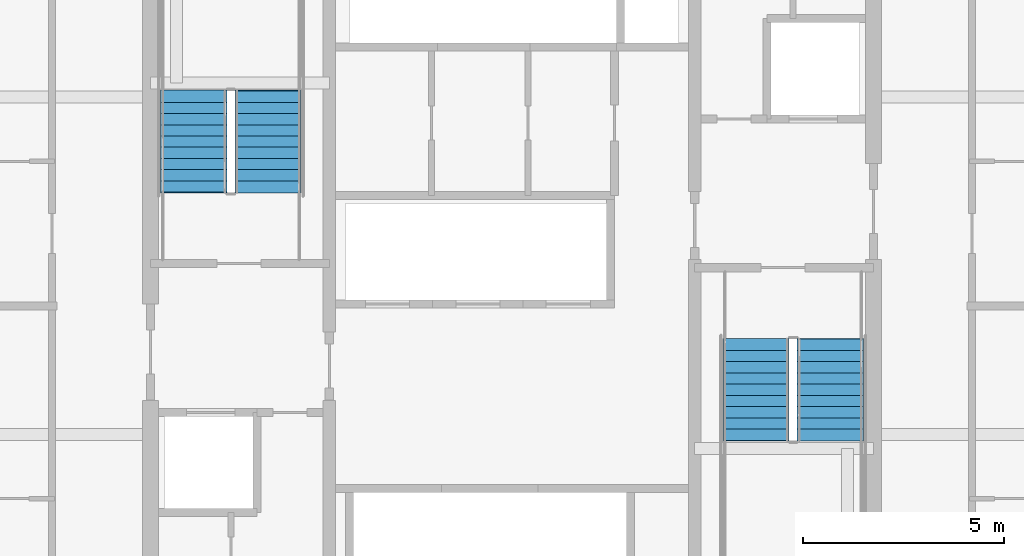
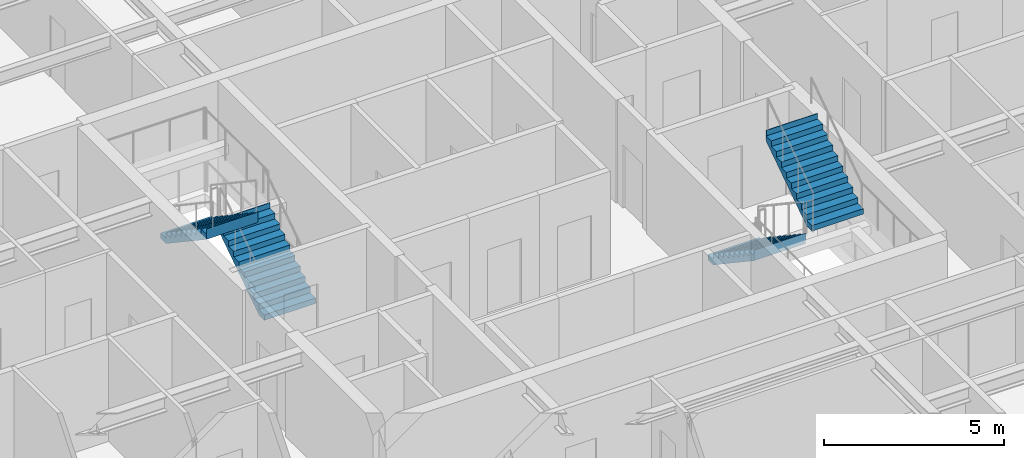
# One storey, part 33 of 38: 4 stair flights, 2 elements without a shape of their own.
"""IFC4 building model written with IfcOpenShell, lengths in metres."""

import ifcopenshell
import ifcopenshell.guid

model = None  # the IFC model being written
_history = None  # IfcOwnerHistory: only IFC2X3 demands one
_inside = {}  # id of a spatial element -> (the spatial element, [elements in it])
_under = {}  # id of a project, library or spatial element -> (it, [spatial elements below it])
_declared = {}  # id of a project -> (the project, [libraries it declares])
_typed = {}  # id of a type object -> (the type object, [elements of that type])
_made_of = {}  # id of a material, layer set ... -> (it, [elements and type objects made of it])


def new_model(schema):
    """Start an empty IFC model of exactly this schema.

    Asked for "IFC4X3", IfcOpenShell would pick the latest addendum, in which some entities
    have other attributes; the version numbers below select the first issue.
    IFC2X3 requires an IfcOwnerHistory on every rooted entity: one is made here for all.
    """
    global model, _history
    if schema == "IFC4X3":
        model = ifcopenshell.file(schema_version=(4, 3, 0, 0))
    else:
        model = ifcopenshell.file(schema=schema)
    _inside.clear()
    _under.clear()
    _declared.clear()
    _typed.clear()
    _made_of.clear()
    _history = None
    if model.schema == "IFC2X3":
        org = make("IfcOrganization", Name="unknown")
        user = make(
            "IfcPersonAndOrganization",
            ThePerson=make("IfcPerson", FamilyName="unknown"),
            TheOrganization=org,
        )
        app = make(
            "IfcApplication",
            ApplicationDeveloper=org,
            Version="unknown",
            ApplicationFullName="unknown",
            ApplicationIdentifier="unknown",
        )
        _history = make(
            "IfcOwnerHistory",
            OwningUser=user,
            OwningApplication=app,
            ChangeAction="ADDED",
            CreationDate=0,
        )
    return model


def make(cls, **values):
    """One entity of the class cls with the attributes given. An attribute that is None is left unset."""
    return model.create_entity(
        cls, **{name: value for name, value in values.items() if value is not None}
    )


def rooted(cls, **values):
    """An entity with a GlobalId (a new one), such as an element, a storey or a relation."""
    return make(cls, GlobalId=ifcopenshell.guid.new(), OwnerHistory=_history, **values)


def si_unit(unit_type, name, prefix=None):
    """IfcSIUnit, for example si_unit("LENGTHUNIT", "METRE", prefix="MILLI")."""
    return make("IfcSIUnit", UnitType=unit_type, Prefix=prefix, Name=name)


def assignment(units):
    """IfcUnitAssignment: the units of a project."""
    return None if units is None else make("IfcUnitAssignment", Units=units)


def point(xyz):
    """IfcCartesianPoint."""
    return None if xyz is None else make("IfcCartesianPoint", Coordinates=xyz)


def direction(xyz):
    """IfcDirection."""
    return None if xyz is None else make("IfcDirection", DirectionRatios=xyz)


def frame(location, z_axis=None, x_axis=None):
    """IfcAxis2Placement3D, a coordinate frame: its origin and axes. An axis left out is left unset."""
    return make(
        "IfcAxis2Placement3D",
        Location=point(location),
        Axis=direction(z_axis),
        RefDirection=direction(x_axis),
    )


def origin():
    """The frame at (0, 0, 0) with its axes left unset."""
    return frame((0.0, 0.0, 0.0))


def place(relative_to, where):
    """IfcLocalPlacement: puts the frame where relative to a parent placement (None: the world)."""
    return make(
        "IfcLocalPlacement", PlacementRelTo=relative_to, RelativePlacement=where
    )


def context(
    kind, dimensions, precision=None, world=None, true_north=None, identifier=None
):
    """IfcGeometricRepresentationContext, for example the 3D "Model" context."""
    return make(
        "IfcGeometricRepresentationContext",
        ContextIdentifier=identifier,
        ContextType=kind,
        CoordinateSpaceDimension=dimensions,
        Precision=precision,
        WorldCoordinateSystem=world,
        TrueNorth=true_north,
    )


def subcontext(parent, identifier, kind, view, scale=None):
    """IfcGeometricRepresentationSubContext, for example "Body" below "Model"."""
    return make(
        "IfcGeometricRepresentationSubContext",
        ContextIdentifier=identifier,
        ContextType=kind,
        ParentContext=parent,
        TargetScale=scale,
        TargetView=view,
    )


def project(units=None, contexts=None):
    """IfcProject with its units and contexts."""
    return rooted(
        "IfcProject",
        Name="project",
        RepresentationContexts=contexts,
        UnitsInContext=assignment(units),
    )


def spatial(cls, under=None, at=None, **own):
    """A site, building, storey or space (cls), placed at a placement, below another one or the project."""
    s = rooted(cls, ObjectPlacement=at, **own)
    if under is not None:
        _under.setdefault(under.id(), (under, []))[1].append(s)
    return s


def point_list(points):
    """IfcCartesianPointList2D or 3D."""
    cls = (
        "IfcCartesianPointList2D" if len(points[0]) == 2 else "IfcCartesianPointList3D"
    )
    return make(cls, CoordList=points)


def polygons(points, faces, closed=None, point_numbers=None):
    """IfcPolygonalFaceSet: a face is its outer loop, then its inner loops; points numbered from 1."""
    made = []
    for loops in faces:
        if len(loops) == 1:
            made.append(make("IfcIndexedPolygonalFace", CoordIndex=loops[0]))
        else:
            made.append(
                make(
                    "IfcIndexedPolygonalFaceWithVoids",
                    CoordIndex=loops[0],
                    InnerCoordIndices=loops[1:],
                )
            )
    return make(
        "IfcPolygonalFaceSet",
        Coordinates=point_list(points),
        Closed=closed,
        Faces=made,
        PnIndex=point_numbers,
    )


def shape(context_of_items, identifier, shape_type, items):
    """IfcShapeRepresentation: the items that make up one representation, for example the "Body"."""
    return make(
        "IfcShapeRepresentation",
        ContextOfItems=context_of_items,
        RepresentationIdentifier=identifier,
        RepresentationType=shape_type,
        Items=items,
    )


def material(Name=None, Category=None):
    """IfcMaterial."""
    return make("IfcMaterial", Name=Name, Category=Category)


def made_of(thing, what):
    """Note that an element or type object is made of a material, layer set ...; save() writes the relation."""
    if what is not None:
        _made_of.setdefault(what.id(), (what, []))[1].append(thing)
    return thing


def type_object(cls, material=None, **own):
    """A type object (cls), such as IfcWallType, which elements share."""
    return made_of(rooted(cls, **own), material)


def element(
    cls,
    number,
    at=None,
    inside=None,
    cuts=None,
    type_object=None,
    material=None,
    context=None,
    identifier="Body",
    shape_type=None,
    held_by="IfcProductDefinitionShape",
    body=None,
    shapes=None,
    **own,
):
    """One element of the class cls, such as IfcWall. Its Tag is "e" and its number.

    at: its placement. inside: the storey or other place that contains it. cuts: it is an
    opening in that element (IfcRelVoidsElement). A single representation is given by context,
    identifier, shape_type and body (its items); several are given by shapes. held_by: the class
    of the entity that holds the representations. save() writes the other relations.
    """
    e = rooted(cls, Tag="e%d" % number, ObjectPlacement=at, **own)
    if body is not None:
        shapes = [shape(context, identifier, shape_type, body)]
    if shapes is not None:
        e.Representation = make(held_by, Representations=shapes)
    if inside is not None:
        _inside.setdefault(inside.id(), (inside, []))[1].append(e)
    if cuts is not None:
        rooted(
            "IfcRelVoidsElement", RelatingBuildingElement=cuts, RelatedOpeningElement=e
        )
    if type_object is not None:
        _typed.setdefault(type_object.id(), (type_object, []))[1].append(e)
    return made_of(e, material)


def aggregate(whole, parts):
    """IfcRelAggregates: a whole, such as a stair, and the parts it consists of."""
    return rooted("IfcRelAggregates", RelatingObject=whole, RelatedObjects=parts)


def save(model, path):
    """Write the relations noted so far, then the file.

    IfcRelAggregates (storeys below a building ...), IfcRelContainedInSpatialStructure (elements
    in a storey), IfcRelDefinesByType, IfcRelAssociatesMaterial and IfcRelDeclares: one each for
    every whole, place, type object, material and project.
    """
    for whole, parts in _under.values():
        aggregate(whole, parts)
    for where, things in _inside.values():
        rooted(
            "IfcRelContainedInSpatialStructure",
            RelatedElements=things,
            RelatingStructure=where,
        )
    for kind, things in _typed.values():
        rooted("IfcRelDefinesByType", RelatedObjects=things, RelatingType=kind)
    for what, things in _made_of.values():
        rooted("IfcRelAssociatesMaterial", RelatedObjects=things, RelatingMaterial=what)
    for by, libraries in _declared.values():
        rooted("IfcRelDeclares", RelatingContext=by, RelatedDefinitions=libraries)
    model.write(path)


model = new_model("IFC4")

# Units and contexts
model_context = context("Model", 3, precision=1e-05, world=origin(), true_north=direction((0.0, 1.0)))
body_context = subcontext(model_context, "Body", "Model", "MODEL_VIEW")
ifc_project = project(units=[si_unit("LENGTHUNIT", "METRE"), si_unit("AREAUNIT", "SQUARE_METRE"), si_unit("VOLUMEUNIT", "CUBIC_METRE"), si_unit("PLANEANGLEUNIT", "RADIAN"), si_unit("MASSUNIT", "GRAM", prefix="KILO")], contexts=[model_context])

# Site, building, storey
site_placement = place(None, origin())
site = spatial("IfcSite", under=ifc_project, at=site_placement, CompositionType="ELEMENT")
building_placement = place(site_placement, origin())
building = spatial("IfcBuilding", under=site, at=building_placement, Name="Serunith Strait Residences", CompositionType="ELEMENT")
storey_placement = place(building_placement, frame((0.0, 0.0, 120.14990234375)))
storey = spatial("IfcBuildingStorey", under=building, at=storey_placement, Name="L29", CompositionType="ELEMENT", Elevation=120.14990234375)

# Stair, stair flights
ifc_material = material(Name="Concrete C50/60", Category="concrete")
stair_type_1 = type_object("IfcStairType", Name="STR-CORE-1", PredefinedType="HALF_TURN_STAIR", material=ifc_material)
stair_1_placement = place(storey_placement, origin())
stair_1 = element("IfcStair", 1, at=stair_1_placement, inside=storey, type_object=stair_type_1, Name="L29 Protected Escape Stair ST-1", PredefinedType="HALF_TURN_STAIR")
stair_flight_type_1 = type_object("IfcStairFlightType", Name="FLT-CORE-1", PredefinedType="STRAIGHT", material=ifc_material)
stair_flight_1_placement = place(storey_placement, frame((26.324951171875, 27.030029296875, 0.0), z_axis=(0.0, 0.0, 1.0), x_axis=(0.0, 1.0, 0.0)))
stair_flight_1 = element("IfcStairFlight", 2, at=stair_flight_1_placement, type_object=stair_flight_type_1, Name="ST-1 flight 1", NumberOfRisers=10, NumberOfTreads=9, PredefinedType="STRAIGHT", RiserHeight=0.1875, TreadLength=0.28, context=body_context, shape_type="Tessellation", body=[
    polygons([(-0.02001953125, -0.824951171875, 0.0), (-0.02001953125, -0.824951171875, 0.1875), (0.280029296875, -0.824951171875, 0.1875), (0.280029296875, -0.824951171875, 0.375), (0.56005859375, -0.824951171875, 0.375), (0.56005859375, -0.824951171875, 0.5625), (0.840087890625, -0.824951171875, 0.5625), (0.840087890625, -0.824951171875, 0.75), (1.1201171875, -0.824951171875, 0.75), (1.1201171875, -0.824951171875, 0.9375), (1.39990234375, -0.824951171875, 0.9375), (1.39990234375, -0.824951171875, 1.125), (1.679931640625, -0.824951171875, 1.125), (1.679931640625, -0.824951171875, 1.3125), (1.9599609375, -0.824951171875, 1.3125), (1.9599609375, -0.824951171875, 1.5), (2.239990234375, -0.824951171875, 1.5), (2.239990234375, -0.824951171875, 1.6875), (2.52001953125, -0.824951171875, 1.6875), (2.52001953125, -0.824951171875, 1.875), (2.5400390625, -0.824951171875, 1.875), (2.5400390625, -0.824951171875, 1.81494140625), (2.52001953125, -0.824951171875, 1.507080078125), (0.26953125, -0.824951171875, 0.0), (-0.02001953125, -0.41259765625, 0.0), (-0.02001953125, -0.41259765625, 0.1875), (0.280029296875, -0.41259765625, 0.1875), (0.280029296875, -0.41259765625, 0.375), (0.56005859375, -0.41259765625, 0.375), (0.56005859375, -0.41259765625, 0.5625), (0.840087890625, -0.41259765625, 0.5625), (0.840087890625, -0.41259765625, 0.75), (1.1201171875, -0.41259765625, 0.75), (1.1201171875, -0.41259765625, 0.9375), (1.39990234375, -0.41259765625, 0.9375), (1.39990234375, -0.41259765625, 1.125), (1.679931640625, -0.41259765625, 1.125), (1.679931640625, -0.41259765625, 1.3125), (1.9599609375, -0.41259765625, 1.3125), (1.9599609375, -0.41259765625, 1.5), (2.239990234375, -0.41259765625, 1.5), (2.239990234375, -0.41259765625, 1.6875), (2.52001953125, -0.41259765625, 1.6875), (2.52001953125, -0.41259765625, 1.875), (2.5400390625, -0.41259765625, 1.875), (2.5400390625, -0.41259765625, 1.81494140625), (2.52001953125, -0.41259765625, 1.507080078125), (0.26953125, -0.41259765625, 0.0), (-0.02001953125, 0.0, 0.0), (-0.02001953125, 0.0, 0.1875), (0.280029296875, 0.0, 0.1875), (0.280029296875, 0.0, 0.375), (0.56005859375, 0.0, 0.375), (0.56005859375, 0.0, 0.5625), (0.840087890625, 0.0, 0.5625), (0.840087890625, 0.0, 0.75), (1.1201171875, 0.0, 0.75), (1.1201171875, 0.0, 0.9375), (1.39990234375, 0.0, 0.9375), (1.39990234375, 0.0, 1.125), (1.679931640625, 0.0, 1.125), (1.679931640625, 0.0, 1.3125), (1.9599609375, 0.0, 1.3125), (1.9599609375, 0.0, 1.5), (2.239990234375, 0.0, 1.5), (2.239990234375, 0.0, 1.6875), (2.52001953125, 0.0, 1.6875), (2.52001953125, 0.0, 1.875), (2.5400390625, 0.0, 1.875), (2.5400390625, 0.0, 1.81494140625), (2.52001953125, 0.0, 1.507080078125), (0.26953125, 0.0, 0.0), (-0.02001953125, 0.41259765625, 0.0), (-0.02001953125, 0.41259765625, 0.1875), (0.280029296875, 0.41259765625, 0.1875), (0.280029296875, 0.41259765625, 0.375), (0.56005859375, 0.41259765625, 0.375), (0.56005859375, 0.41259765625, 0.5625), (0.840087890625, 0.41259765625, 0.5625), (0.840087890625, 0.41259765625, 0.75), (1.1201171875, 0.41259765625, 0.75), (1.1201171875, 0.41259765625, 0.9375), (1.39990234375, 0.41259765625, 0.9375), (1.39990234375, 0.41259765625, 1.125), (1.679931640625, 0.41259765625, 1.125), (1.679931640625, 0.41259765625, 1.3125), (1.9599609375, 0.41259765625, 1.3125), (1.9599609375, 0.41259765625, 1.5), (2.239990234375, 0.41259765625, 1.5), (2.239990234375, 0.41259765625, 1.6875), (2.52001953125, 0.41259765625, 1.6875), (2.52001953125, 0.41259765625, 1.875), (2.5400390625, 0.41259765625, 1.875), (2.5400390625, 0.41259765625, 1.81494140625), (2.52001953125, 0.41259765625, 1.507080078125), (0.26953125, 0.41259765625, 0.0), (-0.02001953125, 0.824951171875, 0.0), (-0.02001953125, 0.824951171875, 0.1875), (0.280029296875, 0.824951171875, 0.1875), (0.280029296875, 0.824951171875, 0.375), (0.56005859375, 0.824951171875, 0.375), (0.56005859375, 0.824951171875, 0.5625), (0.840087890625, 0.824951171875, 0.5625), (0.840087890625, 0.824951171875, 0.75), (1.1201171875, 0.824951171875, 0.75), (1.1201171875, 0.824951171875, 0.9375), (1.39990234375, 0.824951171875, 0.9375), (1.39990234375, 0.824951171875, 1.125), (1.679931640625, 0.824951171875, 1.125), (1.679931640625, 0.824951171875, 1.3125), (1.9599609375, 0.824951171875, 1.3125), (1.9599609375, 0.824951171875, 1.5), (2.239990234375, 0.824951171875, 1.5), (2.239990234375, 0.824951171875, 1.6875), (2.52001953125, 0.824951171875, 1.6875), (2.52001953125, 0.824951171875, 1.875), (2.5400390625, 0.824951171875, 1.875), (2.5400390625, 0.824951171875, 1.81494140625), (2.52001953125, 0.824951171875, 1.507080078125), (0.26953125, 0.824951171875, 0.0)], [[[1, 2, 26, 25]], [[2, 3, 27, 26]], [[3, 4, 28, 27]], [[4, 5, 29, 28]], [[5, 6, 30, 29]], [[6, 7, 31, 30]], [[7, 8, 32, 31]], [[8, 9, 33, 32]], [[9, 10, 34, 33]], [[10, 11, 35, 34]], [[11, 12, 36, 35]], [[12, 13, 37, 36]], [[13, 14, 38, 37]], [[14, 15, 39, 38]], [[15, 16, 40, 39]], [[16, 17, 41, 40]], [[17, 18, 42, 41]], [[18, 19, 43, 42]], [[19, 20, 44, 43]], [[20, 21, 45, 44]], [[21, 22, 46, 45]], [[22, 23, 47, 46]], [[23, 24, 48, 47]], [[24, 1, 25, 48]], [[25, 26, 50, 49]], [[26, 27, 51, 50]], [[27, 28, 52, 51]], [[28, 29, 53, 52]], [[29, 30, 54, 53]], [[30, 31, 55, 54]], [[31, 32, 56, 55]], [[32, 33, 57, 56]], [[33, 34, 58, 57]], [[34, 35, 59, 58]], [[35, 36, 60, 59]], [[36, 37, 61, 60]], [[37, 38, 62, 61]], [[38, 39, 63, 62]], [[39, 40, 64, 63]], [[40, 41, 65, 64]], [[41, 42, 66, 65]], [[42, 43, 67, 66]], [[43, 44, 68, 67]], [[44, 45, 69, 68]], [[45, 46, 70, 69]], [[46, 47, 71, 70]], [[47, 48, 72, 71]], [[48, 25, 49, 72]], [[49, 50, 74, 73]], [[50, 51, 75, 74]], [[51, 52, 76, 75]], [[52, 53, 77, 76]], [[53, 54, 78, 77]], [[54, 55, 79, 78]], [[55, 56, 80, 79]], [[56, 57, 81, 80]], [[57, 58, 82, 81]], [[58, 59, 83, 82]], [[59, 60, 84, 83]], [[60, 61, 85, 84]], [[61, 62, 86, 85]], [[62, 63, 87, 86]], [[63, 64, 88, 87]], [[64, 65, 89, 88]], [[65, 66, 90, 89]], [[66, 67, 91, 90]], [[67, 68, 92, 91]], [[68, 69, 93, 92]], [[69, 70, 94, 93]], [[70, 71, 95, 94]], [[71, 72, 96, 95]], [[72, 49, 73, 96]], [[73, 74, 98, 97]], [[74, 75, 99, 98]], [[75, 76, 100, 99]], [[76, 77, 101, 100]], [[77, 78, 102, 101]], [[78, 79, 103, 102]], [[79, 80, 104, 103]], [[80, 81, 105, 104]], [[81, 82, 106, 105]], [[82, 83, 107, 106]], [[83, 84, 108, 107]], [[84, 85, 109, 108]], [[85, 86, 110, 109]], [[86, 87, 111, 110]], [[87, 88, 112, 111]], [[88, 89, 113, 112]], [[89, 90, 114, 113]], [[90, 91, 115, 114]], [[91, 92, 116, 115]], [[92, 93, 117, 116]], [[93, 94, 118, 117]], [[94, 95, 119, 118]], [[95, 96, 120, 119]], [[96, 73, 97, 120]], [[24, 23, 22, 21, 20, 19, 18, 17, 16, 15, 14, 13, 12, 11, 10, 9, 8, 7, 6, 5, 4, 3, 2, 1]], [[97, 98, 99, 100, 101, 102, 103, 104, 105, 106, 107, 108, 109, 110, 111, 112, 113, 114, 115, 116, 117, 118, 119, 120]]], closed=True),
])
stair_flight_2_placement = place(storey_placement, frame((24.47509765625, 29.550048828125, 1.875), z_axis=(0.0, 0.0, 1.0), x_axis=(0.0, -1.0, 0.0)))
stair_flight_2 = element("IfcStairFlight", 3, at=stair_flight_2_placement, type_object=stair_flight_type_1, Name="ST-1 flight 2", NumberOfRisers=10, NumberOfTreads=9, PredefinedType="STRAIGHT", RiserHeight=0.1875, TreadLength=0.28, context=body_context, shape_type="Tessellation", body=[
    polygons([(-0.02001953125, -0.824951171875, 0.0), (-0.02001953125, -0.824951171875, 0.1875), (0.280029296875, -0.824951171875, 0.1875), (0.280029296875, -0.824951171875, 0.375), (0.56005859375, -0.824951171875, 0.375), (0.56005859375, -0.824951171875, 0.5625), (0.840087890625, -0.824951171875, 0.5625), (0.840087890625, -0.824951171875, 0.75), (1.1201171875, -0.824951171875, 0.75), (1.1201171875, -0.824951171875, 0.9375), (1.39990234375, -0.824951171875, 0.9375), (1.39990234375, -0.824951171875, 1.125), (1.679931640625, -0.824951171875, 1.125), (1.679931640625, -0.824951171875, 1.3125), (1.9599609375, -0.824951171875, 1.3125), (1.9599609375, -0.824951171875, 1.5), (2.239990234375, -0.824951171875, 1.5), (2.239990234375, -0.824951171875, 1.6875), (2.52001953125, -0.824951171875, 1.6875), (2.52001953125, -0.824951171875, 1.875), (2.5400390625, -0.824951171875, 1.875), (2.5400390625, -0.824951171875, 1.81494140625), (2.52001953125, -0.824951171875, 1.507080078125), (0.26953125, -0.824951171875, 0.0), (-0.02001953125, -0.41259765625, 0.0), (-0.02001953125, -0.41259765625, 0.1875), (0.280029296875, -0.41259765625, 0.1875), (0.280029296875, -0.41259765625, 0.375), (0.56005859375, -0.41259765625, 0.375), (0.56005859375, -0.41259765625, 0.5625), (0.840087890625, -0.41259765625, 0.5625), (0.840087890625, -0.41259765625, 0.75), (1.1201171875, -0.41259765625, 0.75), (1.1201171875, -0.41259765625, 0.9375), (1.39990234375, -0.41259765625, 0.9375), (1.39990234375, -0.41259765625, 1.125), (1.679931640625, -0.41259765625, 1.125), (1.679931640625, -0.41259765625, 1.3125), (1.9599609375, -0.41259765625, 1.3125), (1.9599609375, -0.41259765625, 1.5), (2.239990234375, -0.41259765625, 1.5), (2.239990234375, -0.41259765625, 1.6875), (2.52001953125, -0.41259765625, 1.6875), (2.52001953125, -0.41259765625, 1.875), (2.5400390625, -0.41259765625, 1.875), (2.5400390625, -0.41259765625, 1.81494140625), (2.52001953125, -0.41259765625, 1.507080078125), (0.26953125, -0.41259765625, 0.0), (-0.02001953125, 0.0, 0.0), (-0.02001953125, 0.0, 0.1875), (0.280029296875, 0.0, 0.1875), (0.280029296875, 0.0, 0.375), (0.56005859375, 0.0, 0.375), (0.56005859375, 0.0, 0.5625), (0.840087890625, 0.0, 0.5625), (0.840087890625, 0.0, 0.75), (1.1201171875, 0.0, 0.75), (1.1201171875, 0.0, 0.9375), (1.39990234375, 0.0, 0.9375), (1.39990234375, 0.0, 1.125), (1.679931640625, 0.0, 1.125), (1.679931640625, 0.0, 1.3125), (1.9599609375, 0.0, 1.3125), (1.9599609375, 0.0, 1.5), (2.239990234375, 0.0, 1.5), (2.239990234375, 0.0, 1.6875), (2.52001953125, 0.0, 1.6875), (2.52001953125, 0.0, 1.875), (2.5400390625, 0.0, 1.875), (2.5400390625, 0.0, 1.81494140625), (2.52001953125, 0.0, 1.507080078125), (0.26953125, 0.0, 0.0), (-0.02001953125, 0.41259765625, 0.0), (-0.02001953125, 0.41259765625, 0.1875), (0.280029296875, 0.41259765625, 0.1875), (0.280029296875, 0.41259765625, 0.375), (0.56005859375, 0.41259765625, 0.375), (0.56005859375, 0.41259765625, 0.5625), (0.840087890625, 0.41259765625, 0.5625), (0.840087890625, 0.41259765625, 0.75), (1.1201171875, 0.41259765625, 0.75), (1.1201171875, 0.41259765625, 0.9375), (1.39990234375, 0.41259765625, 0.9375), (1.39990234375, 0.41259765625, 1.125), (1.679931640625, 0.41259765625, 1.125), (1.679931640625, 0.41259765625, 1.3125), (1.9599609375, 0.41259765625, 1.3125), (1.9599609375, 0.41259765625, 1.5), (2.239990234375, 0.41259765625, 1.5), (2.239990234375, 0.41259765625, 1.6875), (2.52001953125, 0.41259765625, 1.6875), (2.52001953125, 0.41259765625, 1.875), (2.5400390625, 0.41259765625, 1.875), (2.5400390625, 0.41259765625, 1.81494140625), (2.52001953125, 0.41259765625, 1.507080078125), (0.26953125, 0.41259765625, 0.0), (-0.02001953125, 0.824951171875, 0.0), (-0.02001953125, 0.824951171875, 0.1875), (0.280029296875, 0.824951171875, 0.1875), (0.280029296875, 0.824951171875, 0.375), (0.56005859375, 0.824951171875, 0.375), (0.56005859375, 0.824951171875, 0.5625), (0.840087890625, 0.824951171875, 0.5625), (0.840087890625, 0.824951171875, 0.75), (1.1201171875, 0.824951171875, 0.75), (1.1201171875, 0.824951171875, 0.9375), (1.39990234375, 0.824951171875, 0.9375), (1.39990234375, 0.824951171875, 1.125), (1.679931640625, 0.824951171875, 1.125), (1.679931640625, 0.824951171875, 1.3125), (1.9599609375, 0.824951171875, 1.3125), (1.9599609375, 0.824951171875, 1.5), (2.239990234375, 0.824951171875, 1.5), (2.239990234375, 0.824951171875, 1.6875), (2.52001953125, 0.824951171875, 1.6875), (2.52001953125, 0.824951171875, 1.875), (2.5400390625, 0.824951171875, 1.875), (2.5400390625, 0.824951171875, 1.81494140625), (2.52001953125, 0.824951171875, 1.507080078125), (0.26953125, 0.824951171875, 0.0)], [[[1, 2, 26, 25]], [[2, 3, 27, 26]], [[3, 4, 28, 27]], [[4, 5, 29, 28]], [[5, 6, 30, 29]], [[6, 7, 31, 30]], [[7, 8, 32, 31]], [[8, 9, 33, 32]], [[9, 10, 34, 33]], [[10, 11, 35, 34]], [[11, 12, 36, 35]], [[12, 13, 37, 36]], [[13, 14, 38, 37]], [[14, 15, 39, 38]], [[15, 16, 40, 39]], [[16, 17, 41, 40]], [[17, 18, 42, 41]], [[18, 19, 43, 42]], [[19, 20, 44, 43]], [[20, 21, 45, 44]], [[21, 22, 46, 45]], [[22, 23, 47, 46]], [[23, 24, 48, 47]], [[24, 1, 25, 48]], [[25, 26, 50, 49]], [[26, 27, 51, 50]], [[27, 28, 52, 51]], [[28, 29, 53, 52]], [[29, 30, 54, 53]], [[30, 31, 55, 54]], [[31, 32, 56, 55]], [[32, 33, 57, 56]], [[33, 34, 58, 57]], [[34, 35, 59, 58]], [[35, 36, 60, 59]], [[36, 37, 61, 60]], [[37, 38, 62, 61]], [[38, 39, 63, 62]], [[39, 40, 64, 63]], [[40, 41, 65, 64]], [[41, 42, 66, 65]], [[42, 43, 67, 66]], [[43, 44, 68, 67]], [[44, 45, 69, 68]], [[45, 46, 70, 69]], [[46, 47, 71, 70]], [[47, 48, 72, 71]], [[48, 25, 49, 72]], [[49, 50, 74, 73]], [[50, 51, 75, 74]], [[51, 52, 76, 75]], [[52, 53, 77, 76]], [[53, 54, 78, 77]], [[54, 55, 79, 78]], [[55, 56, 80, 79]], [[56, 57, 81, 80]], [[57, 58, 82, 81]], [[58, 59, 83, 82]], [[59, 60, 84, 83]], [[60, 61, 85, 84]], [[61, 62, 86, 85]], [[62, 63, 87, 86]], [[63, 64, 88, 87]], [[64, 65, 89, 88]], [[65, 66, 90, 89]], [[66, 67, 91, 90]], [[67, 68, 92, 91]], [[68, 69, 93, 92]], [[69, 70, 94, 93]], [[70, 71, 95, 94]], [[71, 72, 96, 95]], [[72, 49, 73, 96]], [[73, 74, 98, 97]], [[74, 75, 99, 98]], [[75, 76, 100, 99]], [[76, 77, 101, 100]], [[77, 78, 102, 101]], [[78, 79, 103, 102]], [[79, 80, 104, 103]], [[80, 81, 105, 104]], [[81, 82, 106, 105]], [[82, 83, 107, 106]], [[83, 84, 108, 107]], [[84, 85, 109, 108]], [[85, 86, 110, 109]], [[86, 87, 111, 110]], [[87, 88, 112, 111]], [[88, 89, 113, 112]], [[89, 90, 114, 113]], [[90, 91, 115, 114]], [[91, 92, 116, 115]], [[92, 93, 117, 116]], [[93, 94, 118, 117]], [[94, 95, 119, 118]], [[95, 96, 120, 119]], [[96, 73, 97, 120]], [[24, 23, 22, 21, 20, 19, 18, 17, 16, 15, 14, 13, 12, 11, 10, 9, 8, 7, 6, 5, 4, 3, 2, 1]], [[97, 98, 99, 100, 101, 102, 103, 104, 105, 106, 107, 108, 109, 110, 111, 112, 113, 114, 115, 116, 117, 118, 119, 120]]], closed=True),
])
aggregate(stair_1, [stair_flight_1, stair_flight_2])

stair_type_2 = type_object("IfcStairType", Name="STR-CORE-2", PredefinedType="HALF_TURN_STAIR", material=ifc_material)
stair_2_placement = place(storey_placement, origin())
stair_2 = element("IfcStair", 4, at=stair_2_placement, inside=storey, type_object=stair_type_2, Name="L29 Protected Escape Stair ST-2", PredefinedType="HALF_TURN_STAIR")
stair_flight_type_2 = type_object("IfcStairFlightType", Name="FLT-CORE-2", PredefinedType="STRAIGHT", material=ifc_material)
stair_flight_3_placement = place(storey_placement, frame((38.47509765625, 23.3701171875, 0.0), z_axis=(0.0, 0.0, 1.0), x_axis=(0.0, -1.0, 0.0)))
stair_flight_3 = element("IfcStairFlight", 5, at=stair_flight_3_placement, type_object=stair_flight_type_2, Name="ST-2 flight 1", NumberOfRisers=10, NumberOfTreads=9, PredefinedType="STRAIGHT", RiserHeight=0.1875, TreadLength=0.28, context=body_context, shape_type="Tessellation", body=[
    polygons([(-0.02001953125, -0.824951171875, 0.0), (-0.02001953125, -0.824951171875, 0.1875), (0.280029296875, -0.824951171875, 0.1875), (0.280029296875, -0.824951171875, 0.375), (0.56005859375, -0.824951171875, 0.375), (0.56005859375, -0.824951171875, 0.5625), (0.840087890625, -0.824951171875, 0.5625), (0.840087890625, -0.824951171875, 0.75), (1.1201171875, -0.824951171875, 0.75), (1.1201171875, -0.824951171875, 0.9375), (1.39990234375, -0.824951171875, 0.9375), (1.39990234375, -0.824951171875, 1.125), (1.679931640625, -0.824951171875, 1.125), (1.679931640625, -0.824951171875, 1.3125), (1.9599609375, -0.824951171875, 1.3125), (1.9599609375, -0.824951171875, 1.5), (2.239990234375, -0.824951171875, 1.5), (2.239990234375, -0.824951171875, 1.6875), (2.52001953125, -0.824951171875, 1.6875), (2.52001953125, -0.824951171875, 1.875), (2.5400390625, -0.824951171875, 1.875), (2.5400390625, -0.824951171875, 1.81494140625), (2.52001953125, -0.824951171875, 1.507080078125), (0.26953125, -0.824951171875, 0.0), (-0.02001953125, -0.41259765625, 0.0), (-0.02001953125, -0.41259765625, 0.1875), (0.280029296875, -0.41259765625, 0.1875), (0.280029296875, -0.41259765625, 0.375), (0.56005859375, -0.41259765625, 0.375), (0.56005859375, -0.41259765625, 0.5625), (0.840087890625, -0.41259765625, 0.5625), (0.840087890625, -0.41259765625, 0.75), (1.1201171875, -0.41259765625, 0.75), (1.1201171875, -0.41259765625, 0.9375), (1.39990234375, -0.41259765625, 0.9375), (1.39990234375, -0.41259765625, 1.125), (1.679931640625, -0.41259765625, 1.125), (1.679931640625, -0.41259765625, 1.3125), (1.9599609375, -0.41259765625, 1.3125), (1.9599609375, -0.41259765625, 1.5), (2.239990234375, -0.41259765625, 1.5), (2.239990234375, -0.41259765625, 1.6875), (2.52001953125, -0.41259765625, 1.6875), (2.52001953125, -0.41259765625, 1.875), (2.5400390625, -0.41259765625, 1.875), (2.5400390625, -0.41259765625, 1.81494140625), (2.52001953125, -0.41259765625, 1.507080078125), (0.26953125, -0.41259765625, 0.0), (-0.02001953125, 0.0, 0.0), (-0.02001953125, 0.0, 0.1875), (0.280029296875, 0.0, 0.1875), (0.280029296875, 0.0, 0.375), (0.56005859375, 0.0, 0.375), (0.56005859375, 0.0, 0.5625), (0.840087890625, 0.0, 0.5625), (0.840087890625, 0.0, 0.75), (1.1201171875, 0.0, 0.75), (1.1201171875, 0.0, 0.9375), (1.39990234375, 0.0, 0.9375), (1.39990234375, 0.0, 1.125), (1.679931640625, 0.0, 1.125), (1.679931640625, 0.0, 1.3125), (1.9599609375, 0.0, 1.3125), (1.9599609375, 0.0, 1.5), (2.239990234375, 0.0, 1.5), (2.239990234375, 0.0, 1.6875), (2.52001953125, 0.0, 1.6875), (2.52001953125, 0.0, 1.875), (2.5400390625, 0.0, 1.875), (2.5400390625, 0.0, 1.81494140625), (2.52001953125, 0.0, 1.507080078125), (0.26953125, 0.0, 0.0), (-0.02001953125, 0.41259765625, 0.0), (-0.02001953125, 0.41259765625, 0.1875), (0.280029296875, 0.41259765625, 0.1875), (0.280029296875, 0.41259765625, 0.375), (0.56005859375, 0.41259765625, 0.375), (0.56005859375, 0.41259765625, 0.5625), (0.840087890625, 0.41259765625, 0.5625), (0.840087890625, 0.41259765625, 0.75), (1.1201171875, 0.41259765625, 0.75), (1.1201171875, 0.41259765625, 0.9375), (1.39990234375, 0.41259765625, 0.9375), (1.39990234375, 0.41259765625, 1.125), (1.679931640625, 0.41259765625, 1.125), (1.679931640625, 0.41259765625, 1.3125), (1.9599609375, 0.41259765625, 1.3125), (1.9599609375, 0.41259765625, 1.5), (2.239990234375, 0.41259765625, 1.5), (2.239990234375, 0.41259765625, 1.6875), (2.52001953125, 0.41259765625, 1.6875), (2.52001953125, 0.41259765625, 1.875), (2.5400390625, 0.41259765625, 1.875), (2.5400390625, 0.41259765625, 1.81494140625), (2.52001953125, 0.41259765625, 1.507080078125), (0.26953125, 0.41259765625, 0.0), (-0.02001953125, 0.824951171875, 0.0), (-0.02001953125, 0.824951171875, 0.1875), (0.280029296875, 0.824951171875, 0.1875), (0.280029296875, 0.824951171875, 0.375), (0.56005859375, 0.824951171875, 0.375), (0.56005859375, 0.824951171875, 0.5625), (0.840087890625, 0.824951171875, 0.5625), (0.840087890625, 0.824951171875, 0.75), (1.1201171875, 0.824951171875, 0.75), (1.1201171875, 0.824951171875, 0.9375), (1.39990234375, 0.824951171875, 0.9375), (1.39990234375, 0.824951171875, 1.125), (1.679931640625, 0.824951171875, 1.125), (1.679931640625, 0.824951171875, 1.3125), (1.9599609375, 0.824951171875, 1.3125), (1.9599609375, 0.824951171875, 1.5), (2.239990234375, 0.824951171875, 1.5), (2.239990234375, 0.824951171875, 1.6875), (2.52001953125, 0.824951171875, 1.6875), (2.52001953125, 0.824951171875, 1.875), (2.5400390625, 0.824951171875, 1.875), (2.5400390625, 0.824951171875, 1.81494140625), (2.52001953125, 0.824951171875, 1.507080078125), (0.26953125, 0.824951171875, 0.0)], [[[1, 2, 26, 25]], [[2, 3, 27, 26]], [[3, 4, 28, 27]], [[4, 5, 29, 28]], [[5, 6, 30, 29]], [[6, 7, 31, 30]], [[7, 8, 32, 31]], [[8, 9, 33, 32]], [[9, 10, 34, 33]], [[10, 11, 35, 34]], [[11, 12, 36, 35]], [[12, 13, 37, 36]], [[13, 14, 38, 37]], [[14, 15, 39, 38]], [[15, 16, 40, 39]], [[16, 17, 41, 40]], [[17, 18, 42, 41]], [[18, 19, 43, 42]], [[19, 20, 44, 43]], [[20, 21, 45, 44]], [[21, 22, 46, 45]], [[22, 23, 47, 46]], [[23, 24, 48, 47]], [[24, 1, 25, 48]], [[25, 26, 50, 49]], [[26, 27, 51, 50]], [[27, 28, 52, 51]], [[28, 29, 53, 52]], [[29, 30, 54, 53]], [[30, 31, 55, 54]], [[31, 32, 56, 55]], [[32, 33, 57, 56]], [[33, 34, 58, 57]], [[34, 35, 59, 58]], [[35, 36, 60, 59]], [[36, 37, 61, 60]], [[37, 38, 62, 61]], [[38, 39, 63, 62]], [[39, 40, 64, 63]], [[40, 41, 65, 64]], [[41, 42, 66, 65]], [[42, 43, 67, 66]], [[43, 44, 68, 67]], [[44, 45, 69, 68]], [[45, 46, 70, 69]], [[46, 47, 71, 70]], [[47, 48, 72, 71]], [[48, 25, 49, 72]], [[49, 50, 74, 73]], [[50, 51, 75, 74]], [[51, 52, 76, 75]], [[52, 53, 77, 76]], [[53, 54, 78, 77]], [[54, 55, 79, 78]], [[55, 56, 80, 79]], [[56, 57, 81, 80]], [[57, 58, 82, 81]], [[58, 59, 83, 82]], [[59, 60, 84, 83]], [[60, 61, 85, 84]], [[61, 62, 86, 85]], [[62, 63, 87, 86]], [[63, 64, 88, 87]], [[64, 65, 89, 88]], [[65, 66, 90, 89]], [[66, 67, 91, 90]], [[67, 68, 92, 91]], [[68, 69, 93, 92]], [[69, 70, 94, 93]], [[70, 71, 95, 94]], [[71, 72, 96, 95]], [[72, 49, 73, 96]], [[73, 74, 98, 97]], [[74, 75, 99, 98]], [[75, 76, 100, 99]], [[76, 77, 101, 100]], [[77, 78, 102, 101]], [[78, 79, 103, 102]], [[79, 80, 104, 103]], [[80, 81, 105, 104]], [[81, 82, 106, 105]], [[82, 83, 107, 106]], [[83, 84, 108, 107]], [[84, 85, 109, 108]], [[85, 86, 110, 109]], [[86, 87, 111, 110]], [[87, 88, 112, 111]], [[88, 89, 113, 112]], [[89, 90, 114, 113]], [[90, 91, 115, 114]], [[91, 92, 116, 115]], [[92, 93, 117, 116]], [[93, 94, 118, 117]], [[94, 95, 119, 118]], [[95, 96, 120, 119]], [[96, 73, 97, 120]], [[24, 23, 22, 21, 20, 19, 18, 17, 16, 15, 14, 13, 12, 11, 10, 9, 8, 7, 6, 5, 4, 3, 2, 1]], [[97, 98, 99, 100, 101, 102, 103, 104, 105, 106, 107, 108, 109, 110, 111, 112, 113, 114, 115, 116, 117, 118, 119, 120]]], closed=True),
])
stair_flight_4_placement = place(storey_placement, frame((40.324951171875, 20.85009765625, 1.875), z_axis=(0.0, 0.0, 1.0), x_axis=(0.0, 1.0, 0.0)))
stair_flight_4 = element("IfcStairFlight", 6, at=stair_flight_4_placement, type_object=stair_flight_type_2, Name="ST-2 flight 2", NumberOfRisers=10, NumberOfTreads=9, PredefinedType="STRAIGHT", RiserHeight=0.1875, TreadLength=0.28, context=body_context, shape_type="Tessellation", body=[
    polygons([(-0.02001953125, -0.824951171875, 0.0), (-0.02001953125, -0.824951171875, 0.1875), (0.280029296875, -0.824951171875, 0.1875), (0.280029296875, -0.824951171875, 0.375), (0.56005859375, -0.824951171875, 0.375), (0.56005859375, -0.824951171875, 0.5625), (0.840087890625, -0.824951171875, 0.5625), (0.840087890625, -0.824951171875, 0.75), (1.1201171875, -0.824951171875, 0.75), (1.1201171875, -0.824951171875, 0.9375), (1.39990234375, -0.824951171875, 0.9375), (1.39990234375, -0.824951171875, 1.125), (1.679931640625, -0.824951171875, 1.125), (1.679931640625, -0.824951171875, 1.3125), (1.9599609375, -0.824951171875, 1.3125), (1.9599609375, -0.824951171875, 1.5), (2.239990234375, -0.824951171875, 1.5), (2.239990234375, -0.824951171875, 1.6875), (2.52001953125, -0.824951171875, 1.6875), (2.52001953125, -0.824951171875, 1.875), (2.5400390625, -0.824951171875, 1.875), (2.5400390625, -0.824951171875, 1.81494140625), (2.52001953125, -0.824951171875, 1.507080078125), (0.26953125, -0.824951171875, 0.0), (-0.02001953125, -0.41259765625, 0.0), (-0.02001953125, -0.41259765625, 0.1875), (0.280029296875, -0.41259765625, 0.1875), (0.280029296875, -0.41259765625, 0.375), (0.56005859375, -0.41259765625, 0.375), (0.56005859375, -0.41259765625, 0.5625), (0.840087890625, -0.41259765625, 0.5625), (0.840087890625, -0.41259765625, 0.75), (1.1201171875, -0.41259765625, 0.75), (1.1201171875, -0.41259765625, 0.9375), (1.39990234375, -0.41259765625, 0.9375), (1.39990234375, -0.41259765625, 1.125), (1.679931640625, -0.41259765625, 1.125), (1.679931640625, -0.41259765625, 1.3125), (1.9599609375, -0.41259765625, 1.3125), (1.9599609375, -0.41259765625, 1.5), (2.239990234375, -0.41259765625, 1.5), (2.239990234375, -0.41259765625, 1.6875), (2.52001953125, -0.41259765625, 1.6875), (2.52001953125, -0.41259765625, 1.875), (2.5400390625, -0.41259765625, 1.875), (2.5400390625, -0.41259765625, 1.81494140625), (2.52001953125, -0.41259765625, 1.507080078125), (0.26953125, -0.41259765625, 0.0), (-0.02001953125, 0.0, 0.0), (-0.02001953125, 0.0, 0.1875), (0.280029296875, 0.0, 0.1875), (0.280029296875, 0.0, 0.375), (0.56005859375, 0.0, 0.375), (0.56005859375, 0.0, 0.5625), (0.840087890625, 0.0, 0.5625), (0.840087890625, 0.0, 0.75), (1.1201171875, 0.0, 0.75), (1.1201171875, 0.0, 0.9375), (1.39990234375, 0.0, 0.9375), (1.39990234375, 0.0, 1.125), (1.679931640625, 0.0, 1.125), (1.679931640625, 0.0, 1.3125), (1.9599609375, 0.0, 1.3125), (1.9599609375, 0.0, 1.5), (2.239990234375, 0.0, 1.5), (2.239990234375, 0.0, 1.6875), (2.52001953125, 0.0, 1.6875), (2.52001953125, 0.0, 1.875), (2.5400390625, 0.0, 1.875), (2.5400390625, 0.0, 1.81494140625), (2.52001953125, 0.0, 1.507080078125), (0.26953125, 0.0, 0.0), (-0.02001953125, 0.41259765625, 0.0), (-0.02001953125, 0.41259765625, 0.1875), (0.280029296875, 0.41259765625, 0.1875), (0.280029296875, 0.41259765625, 0.375), (0.56005859375, 0.41259765625, 0.375), (0.56005859375, 0.41259765625, 0.5625), (0.840087890625, 0.41259765625, 0.5625), (0.840087890625, 0.41259765625, 0.75), (1.1201171875, 0.41259765625, 0.75), (1.1201171875, 0.41259765625, 0.9375), (1.39990234375, 0.41259765625, 0.9375), (1.39990234375, 0.41259765625, 1.125), (1.679931640625, 0.41259765625, 1.125), (1.679931640625, 0.41259765625, 1.3125), (1.9599609375, 0.41259765625, 1.3125), (1.9599609375, 0.41259765625, 1.5), (2.239990234375, 0.41259765625, 1.5), (2.239990234375, 0.41259765625, 1.6875), (2.52001953125, 0.41259765625, 1.6875), (2.52001953125, 0.41259765625, 1.875), (2.5400390625, 0.41259765625, 1.875), (2.5400390625, 0.41259765625, 1.81494140625), (2.52001953125, 0.41259765625, 1.507080078125), (0.26953125, 0.41259765625, 0.0), (-0.02001953125, 0.824951171875, 0.0), (-0.02001953125, 0.824951171875, 0.1875), (0.280029296875, 0.824951171875, 0.1875), (0.280029296875, 0.824951171875, 0.375), (0.56005859375, 0.824951171875, 0.375), (0.56005859375, 0.824951171875, 0.5625), (0.840087890625, 0.824951171875, 0.5625), (0.840087890625, 0.824951171875, 0.75), (1.1201171875, 0.824951171875, 0.75), (1.1201171875, 0.824951171875, 0.9375), (1.39990234375, 0.824951171875, 0.9375), (1.39990234375, 0.824951171875, 1.125), (1.679931640625, 0.824951171875, 1.125), (1.679931640625, 0.824951171875, 1.3125), (1.9599609375, 0.824951171875, 1.3125), (1.9599609375, 0.824951171875, 1.5), (2.239990234375, 0.824951171875, 1.5), (2.239990234375, 0.824951171875, 1.6875), (2.52001953125, 0.824951171875, 1.6875), (2.52001953125, 0.824951171875, 1.875), (2.5400390625, 0.824951171875, 1.875), (2.5400390625, 0.824951171875, 1.81494140625), (2.52001953125, 0.824951171875, 1.507080078125), (0.26953125, 0.824951171875, 0.0)], [[[1, 2, 26, 25]], [[2, 3, 27, 26]], [[3, 4, 28, 27]], [[4, 5, 29, 28]], [[5, 6, 30, 29]], [[6, 7, 31, 30]], [[7, 8, 32, 31]], [[8, 9, 33, 32]], [[9, 10, 34, 33]], [[10, 11, 35, 34]], [[11, 12, 36, 35]], [[12, 13, 37, 36]], [[13, 14, 38, 37]], [[14, 15, 39, 38]], [[15, 16, 40, 39]], [[16, 17, 41, 40]], [[17, 18, 42, 41]], [[18, 19, 43, 42]], [[19, 20, 44, 43]], [[20, 21, 45, 44]], [[21, 22, 46, 45]], [[22, 23, 47, 46]], [[23, 24, 48, 47]], [[24, 1, 25, 48]], [[25, 26, 50, 49]], [[26, 27, 51, 50]], [[27, 28, 52, 51]], [[28, 29, 53, 52]], [[29, 30, 54, 53]], [[30, 31, 55, 54]], [[31, 32, 56, 55]], [[32, 33, 57, 56]], [[33, 34, 58, 57]], [[34, 35, 59, 58]], [[35, 36, 60, 59]], [[36, 37, 61, 60]], [[37, 38, 62, 61]], [[38, 39, 63, 62]], [[39, 40, 64, 63]], [[40, 41, 65, 64]], [[41, 42, 66, 65]], [[42, 43, 67, 66]], [[43, 44, 68, 67]], [[44, 45, 69, 68]], [[45, 46, 70, 69]], [[46, 47, 71, 70]], [[47, 48, 72, 71]], [[48, 25, 49, 72]], [[49, 50, 74, 73]], [[50, 51, 75, 74]], [[51, 52, 76, 75]], [[52, 53, 77, 76]], [[53, 54, 78, 77]], [[54, 55, 79, 78]], [[55, 56, 80, 79]], [[56, 57, 81, 80]], [[57, 58, 82, 81]], [[58, 59, 83, 82]], [[59, 60, 84, 83]], [[60, 61, 85, 84]], [[61, 62, 86, 85]], [[62, 63, 87, 86]], [[63, 64, 88, 87]], [[64, 65, 89, 88]], [[65, 66, 90, 89]], [[66, 67, 91, 90]], [[67, 68, 92, 91]], [[68, 69, 93, 92]], [[69, 70, 94, 93]], [[70, 71, 95, 94]], [[71, 72, 96, 95]], [[72, 49, 73, 96]], [[73, 74, 98, 97]], [[74, 75, 99, 98]], [[75, 76, 100, 99]], [[76, 77, 101, 100]], [[77, 78, 102, 101]], [[78, 79, 103, 102]], [[79, 80, 104, 103]], [[80, 81, 105, 104]], [[81, 82, 106, 105]], [[82, 83, 107, 106]], [[83, 84, 108, 107]], [[84, 85, 109, 108]], [[85, 86, 110, 109]], [[86, 87, 111, 110]], [[87, 88, 112, 111]], [[88, 89, 113, 112]], [[89, 90, 114, 113]], [[90, 91, 115, 114]], [[91, 92, 116, 115]], [[92, 93, 117, 116]], [[93, 94, 118, 117]], [[94, 95, 119, 118]], [[95, 96, 120, 119]], [[96, 73, 97, 120]], [[24, 23, 22, 21, 20, 19, 18, 17, 16, 15, 14, 13, 12, 11, 10, 9, 8, 7, 6, 5, 4, 3, 2, 1]], [[97, 98, 99, 100, 101, 102, 103, 104, 105, 106, 107, 108, 109, 110, 111, 112, 113, 114, 115, 116, 117, 118, 119, 120]]], closed=True),
])
aggregate(stair_2, [stair_flight_3, stair_flight_4])

save(model, "model.ifc")
